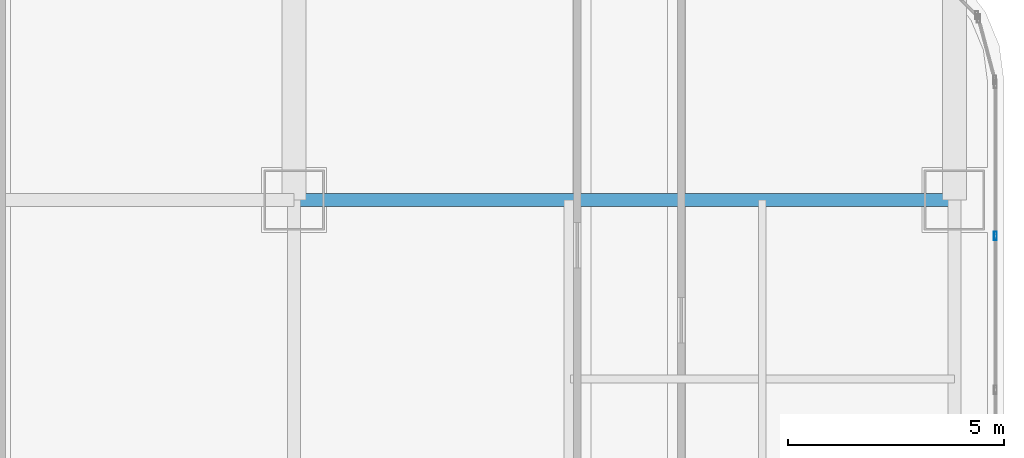
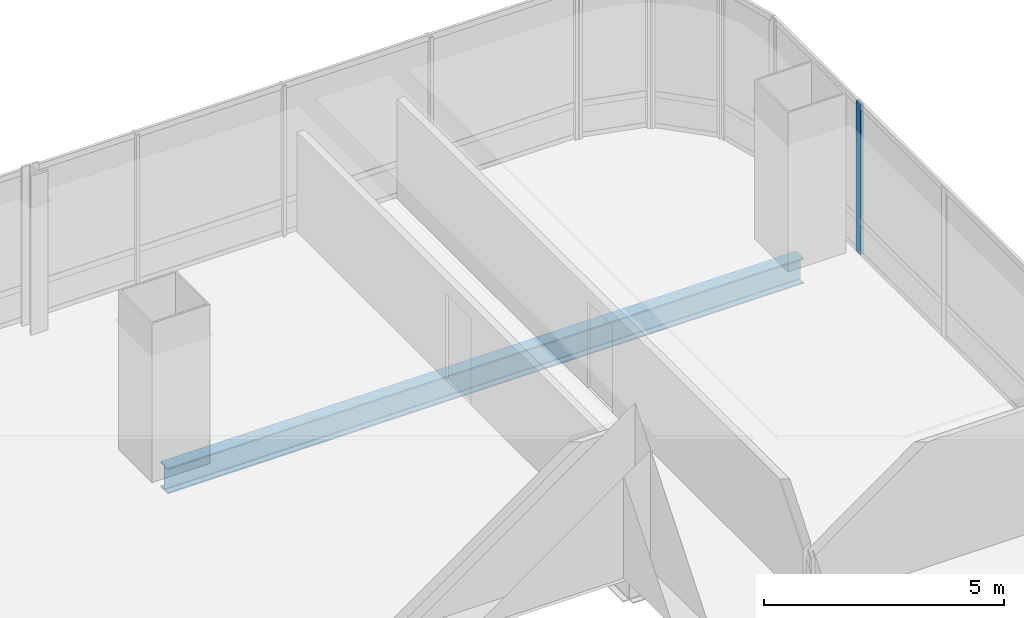
# One storey, part 26 of 37: 1 beam, 1 member, 1 element without a shape of its own.
"""IFC4 building model written with IfcOpenShell, lengths in metres."""

from ifc_helpers import new_model, si_unit, direction, frame, origin, origin_2d, place, context, subcontext, project, spatial, hollow_rectangle, i_section, extrude, material, material_profile, profile_set, type_object, element, aggregate, save


model = new_model("IFC4")

# Units and contexts
model_context = context("Model", 3, precision=1e-05, world=origin(), true_north=direction((0.0, 1.0)))
body_context = subcontext(model_context, "Body", "Model", "MODEL_VIEW")
ifc_project = project(units=[si_unit("LENGTHUNIT", "METRE"), si_unit("AREAUNIT", "SQUARE_METRE"), si_unit("VOLUMEUNIT", "CUBIC_METRE"), si_unit("PLANEANGLEUNIT", "RADIAN"), si_unit("MASSUNIT", "GRAM", prefix="KILO")], contexts=[model_context])

# Site, building, storey
site_placement = place(None, origin())
site = spatial("IfcSite", under=ifc_project, at=site_placement, CompositionType="ELEMENT")
building_placement = place(site_placement, origin())
building = spatial("IfcBuilding", under=site, at=building_placement, Name="Punatoya Terracotta Tower", CompositionType="ELEMENT")
storey_placement = place(building_placement, frame((0.0, 0.0, 164.10009765625)))
storey = spatial("IfcBuildingStorey", under=building, at=storey_placement, Name="L38", CompositionType="ELEMENT", Elevation=164.10009765625)

# Beam
ifc_material_1 = material(Name="Steel S355", Category="steel")
ifc_material_profile_1 = material_profile(ifc_material_1, i_section(OverallWidth=0.300048828125, OverallDepth=0.64990234375, WebThickness=0.01611328125, FlangeThickness=0.031005859375, FilletRadius=0.01806640625, at=origin_2d()))
ifc_profile_set_1 = profile_set([ifc_material_profile_1], Name="Steel S355")
beam_type = type_object("IfcBeamType", Name="BM-PRI-650", PredefinedType="BEAM", material=ifc_profile_set_1)
beam_placement = place(storey_placement, frame((3.800048828125, 17.5, -0.545166015625), z_axis=(1.0, 0.0, 0.0), x_axis=(0.0, 1.0, 0.0)))
element("IfcBeam", 1, at=beam_placement, inside=storey, type_object=beam_type, Name="BM-L38-RG-N3", PredefinedType="BEAM", context=body_context, shape_type="SweptSolid", body=[
    extrude(i_section(OverallWidth=0.300048828125, OverallDepth=0.64990234375, WebThickness=0.01611328125, FlangeThickness=0.031005859375, FilletRadius=0.01806640625, at=origin_2d()), origin(), (0.0, 0.0, 1.0), 15.300048828125),
])

# Curtain wall, member
ifc_material_2 = material(Name="Aluminium 6063-T6 + Double Low-E Glass", Category="aluminium")
curtain_wall_type = type_object("IfcCurtainWallType", Name="CW-M2", PredefinedType="NOTDEFINED", material=ifc_material_2)
curtain_wall_placement = place(storey_placement, origin())
curtain_wall = element("IfcCurtainWall", 2, at=curtain_wall_placement, inside=storey, type_object=curtain_wall_type, Name="L38 Curtain Wall CW-L38-E05-1", PredefinedType="NOTDEFINED")
ifc_material_3 = material(Name="Aluminium 6063-T6", Category="aluminium")
ifc_material_profile_2 = material_profile(ifc_material_3, hollow_rectangle(XDim=0.072021484375, YDim=0.195068359375, WallThickness=0.00439453125, at=origin_2d()))
ifc_profile_set_2 = profile_set([ifc_material_profile_2], Name="Aluminium 6063-T6")
member_type = type_object("IfcMemberType", Name="CW-MUL-M2", PredefinedType="MULLION", material=ifc_profile_set_2)
member_placement = place(storey_placement, frame((20.050048828125, 16.66943359375, 0.0), z_axis=(0.0, 0.0, 1.0), x_axis=(1.0, 0.0, 0.0)))
member = element("IfcMember", 3, at=member_placement, type_object=member_type, Name="CW-L38-E05-1 Mullion 09", PredefinedType="MULLION", context=body_context, shape_type="SweptSolid", body=[
    extrude(hollow_rectangle(XDim=0.072021484375, YDim=0.195068359375, WallThickness=0.00439453125, at=origin_2d()), origin(), (0.0, 0.0, 1.0), 3.829833984375),
])
aggregate(curtain_wall, [member])

save(model, "model.ifc")
